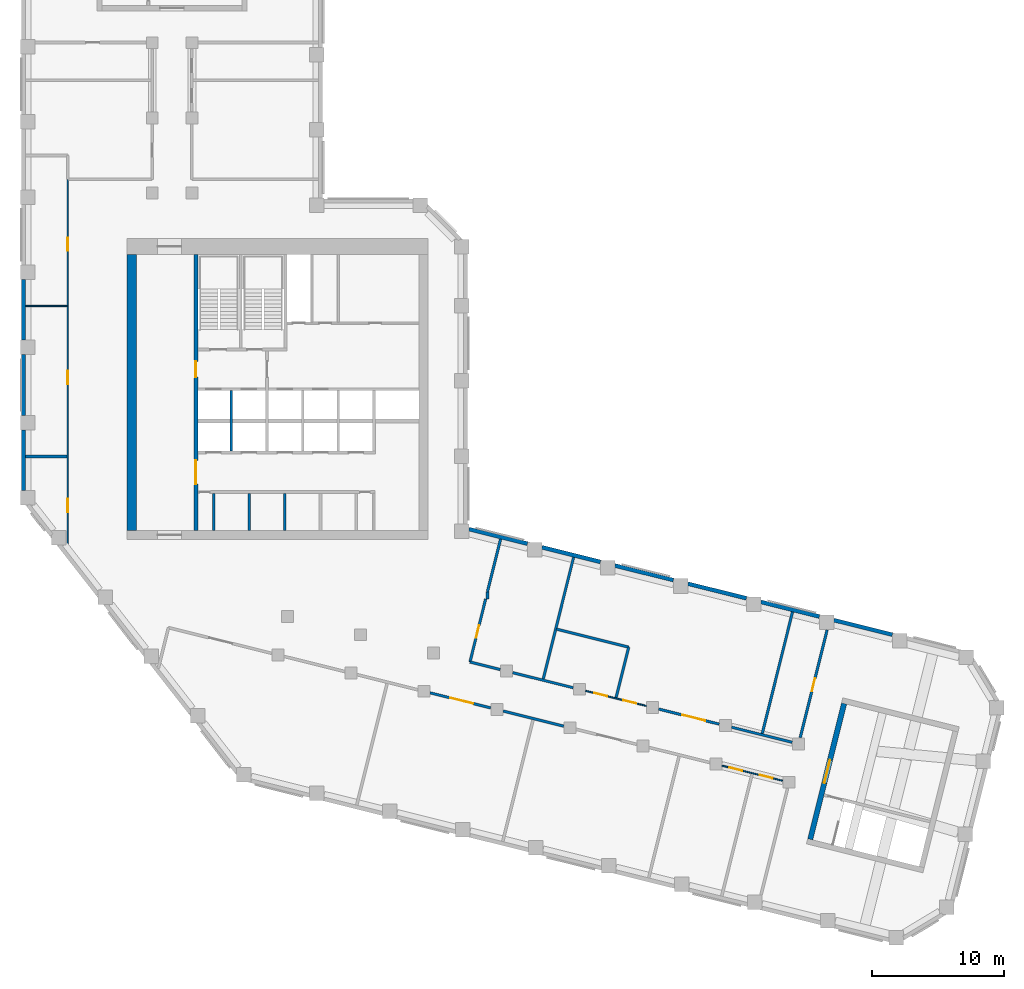
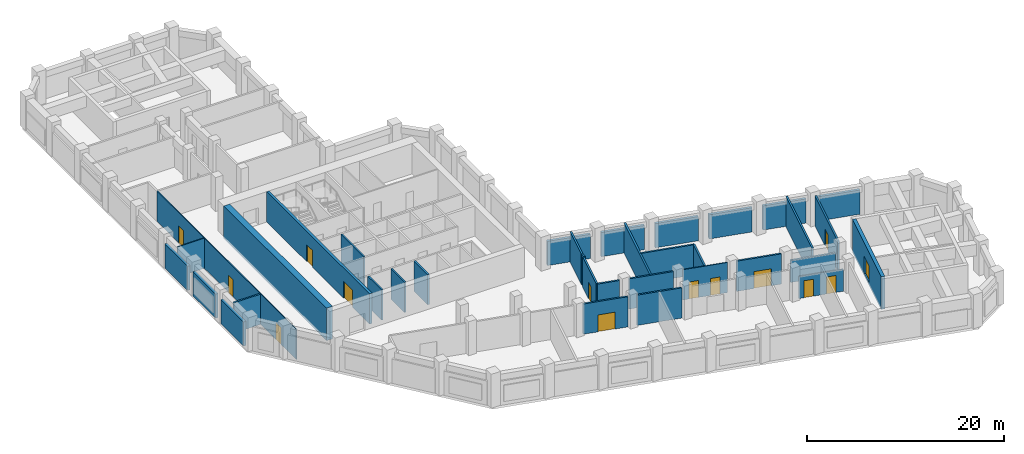
# One storey, part 3 of 8: 35 walls, 14 doors, 14 openings.
"""IFC4 building model written with IfcOpenShell, lengths in metres."""

from ifc_helpers import new_model, si_unit, direction, frame, frame_2d, origin, place, context, subcontext, project, spatial, rectangle, extrude, material, layer, layer_set, type_object, element, fill, save


model = new_model("IFC4")

# Units and contexts
model_context = context("Model", 3, precision=1e-05, world=origin(), true_north=direction((0.0, 1.0)))
body_context = subcontext(model_context, "Body", "Model", "MODEL_VIEW")
ifc_project = project(units=[si_unit("LENGTHUNIT", "METRE"), si_unit("AREAUNIT", "SQUARE_METRE"), si_unit("VOLUMEUNIT", "CUBIC_METRE"), si_unit("PLANEANGLEUNIT", "RADIAN"), si_unit("MASSUNIT", "GRAM", prefix="KILO")], contexts=[model_context])

# Site, building, storey
site_placement = place(None, origin())
site = spatial("IfcSite", under=ifc_project, at=site_placement, CompositionType="ELEMENT")
building_placement = place(site_placement, origin())
building = spatial("IfcBuilding", under=site, at=building_placement, Name="Meshkara Civic Tower", CompositionType="ELEMENT")
storey_placement = place(building_placement, frame((0.0, 0.0, 280.199951171875)))
storey = spatial("IfcBuildingStorey", under=building, at=storey_placement, Name="L64", CompositionType="ELEMENT", Elevation=280.199951171875)

# Wall
ifc_material_1 = material(Name="Concrete C60", Category="concrete")
ifc_layer_1 = layer(ifc_material_1, 0.699951171875)
ifc_layer_set_1 = layer_set([ifc_layer_1], Name="Core ring wall 700 C60")
wall_type_1 = type_object("IfcWallType", Name="Core ring wall 700 C60", PredefinedType="SHEAR", material=ifc_layer_set_1)
wall_1_placement = place(storey_placement, frame((8.35009765625, 14.800048828125, -0.300048828125), z_axis=(0.0, 0.0, 1.0), x_axis=(0.0, 1.0, 0.0)))
element("IfcWall", 1, at=wall_1_placement, inside=storey, type_object=wall_type_1, Name="L64-C003", PredefinedType="SHEAR", context=body_context, shape_type="SweptSolid", body=[
    extrude(rectangle(XDim=20.89990234375, YDim=0.699951171875, at=frame_2d((10.449951171875, 0.0))), origin(), (0.0, 0.0, 1.0), 4.050048828125),
])

# Wall, openings, doors
ifc_material_2 = material(Name="Concrete C60", Category="concrete")
ifc_layer_2 = layer(ifc_material_2, 0.300048828125)
ifc_layer_set_2 = layer_set([ifc_layer_2], Name="Core shear wall 300 C60")
wall_type_2 = type_object("IfcWallType", Name="Core shear wall 300 C60", PredefinedType="SHEAR", material=ifc_layer_set_2)
wall_2_placement = place(storey_placement, frame((13.199951171875, 14.800048828125, 0.0), z_axis=(0.0, 0.0, 1.0), x_axis=(0.0, 1.0, 0.0)))
wall_2 = element("IfcWall", 2, at=wall_2_placement, inside=storey, type_object=wall_type_2, Name="L64-C011", PredefinedType="SHEAR", context=body_context, shape_type="SweptSolid", body=[
    extrude(rectangle(XDim=20.89990234375, YDim=0.300048828125, at=frame_2d((10.449951171875, 0.0))), origin(), (0.0, 0.0, 1.0), 3.75),
])
opening_1_placement = place(wall_2_placement, frame((3.5, 0.0, 0.0)))
opening_1 = element("IfcOpeningElement", 3, at=opening_1_placement, cuts=wall_2, Name="Opening L64-K017", PredefinedType="OPENING", context=body_context, shape_type="SweptSolid", body=[
    extrude(rectangle(XDim=1.800048828125, YDim=2.10009765625, at=frame_2d((0.89990234375, 1.050048828125))), frame((0.0, 0.159912109375, 0.0), z_axis=(0.0, -1.0, 0.0), x_axis=(1.0, 0.0, 0.0)), (0.0, 0.0, 1.0), 0.320068359375),
])
opening_2_placement = place(wall_2_placement, frame((11.60009765625, 0.0, 0.0)))
opening_2 = element("IfcOpeningElement", 4, at=opening_2_placement, cuts=wall_2, Name="Opening L64-K018", PredefinedType="OPENING", context=body_context, shape_type="SweptSolid", body=[
    extrude(rectangle(XDim=1.199951171875, YDim=2.10009765625, at=frame_2d((0.60009765625, 1.050048828125))), frame((0.0, 0.159912109375, 0.0), z_axis=(0.0, -1.0, 0.0), x_axis=(1.0, 0.0, 0.0)), (0.0, 0.0, 1.0), 0.320068359375),
])
ifc_material_3 = material(Name="Fire-rated door leaf in steel frame", Category="steel")
door_type_1 = type_object("IfcDoorType", Name="Core double door 1800 EI 60", OperationType="DOUBLE_DOOR_SINGLE_SWING", PredefinedType="DOOR", material=ifc_material_3)
door_1_placement = place(opening_1_placement, origin())
door_1 = element("IfcDoor", 5, at=door_1_placement, inside=storey, type_object=door_type_1, Name="L64-K017", OperationType="DOUBLE_DOOR_SINGLE_SWING", OverallHeight=2.10009765625, OverallWidth=1.800048828125, PredefinedType="DOOR", context=body_context, shape_type="SweptSolid", body=[
    extrude(rectangle(XDim=1.800048828125, YDim=2.10009765625, at=frame_2d((0.89990234375, 1.050048828125))), frame((0.0, 0.02490234375, 0.0), z_axis=(0.0, -1.0, 0.0), x_axis=(1.0, 0.0, 0.0)), (0.0, 0.0, 1.0), 0.050048828125),
])
fill(opening_1, door_1)
ifc_material_4 = material(Name="Fire-rated door leaf in steel frame", Category="steel")
door_type_2 = type_object("IfcDoorType", Name="Fire-fighting lobby door 1200 EI 120", OperationType="SINGLE_SWING_LEFT", PredefinedType="DOOR", material=ifc_material_4)
door_2_placement = place(opening_2_placement, origin())
door_2 = element("IfcDoor", 6, at=door_2_placement, inside=storey, type_object=door_type_2, Name="L64-K018", OperationType="SINGLE_SWING_LEFT", OverallHeight=2.10009765625, OverallWidth=1.199951171875, PredefinedType="DOOR", context=body_context, shape_type="SweptSolid", body=[
    extrude(rectangle(XDim=1.199951171875, YDim=2.10009765625, at=frame_2d((0.60009765625, 1.050048828125))), frame((0.0, 0.02490234375, 0.0), z_axis=(0.0, -1.0, 0.0), x_axis=(1.0, 0.0, 0.0)), (0.0, 0.0, 1.0), 0.050048828125),
])
fill(opening_2, door_2)

ifc_material_5 = material(Name="Corridor wall 100")
ifc_layer_3 = layer(ifc_material_5, 0.10009765625)
ifc_layer_set_3 = layer_set([ifc_layer_3], Name="Corridor wall 100")
wall_type_3 = type_object("IfcWallType", Name="Corridor wall 100", PredefinedType="PARTITIONING", material=ifc_layer_set_3)
wall_3_placement = place(storey_placement, frame((3.5, 13.10693359375, 0.0), z_axis=(0.0, 0.0, 1.0), x_axis=(0.0, 1.0, 0.0)))
wall_3 = element("IfcWall", 7, at=wall_3_placement, inside=storey, type_object=wall_type_3, Name="L64-R002", PredefinedType="PARTITIONING", context=body_context, shape_type="SweptSolid", body=[
    extrude(rectangle(XDim=28.29296875, YDim=0.10009765625, at=frame_2d((14.146484375, 0.0))), origin(), (0.0, 0.0, 1.0), 3.75),
])
opening_3_placement = place(wall_3_placement, frame((3.080078125, 0.0, 0.0)))
opening_3 = element("IfcOpeningElement", 8, at=opening_3_placement, cuts=wall_3, Name="Opening L64-P011", PredefinedType="OPENING", context=body_context, shape_type="SweptSolid", body=[
    extrude(rectangle(XDim=1.0, YDim=2.10009765625, at=frame_2d((0.5, 1.050048828125))), frame((0.0, 0.06005859375, 0.0), z_axis=(0.0, -1.0, 0.0), x_axis=(1.0, 0.0, 0.0)), (0.0, 0.0, 1.0), 0.1201171875),
])
opening_4_placement = place(wall_3_placement, frame((12.77294921875, 0.0, 0.0)))
opening_4 = element("IfcOpeningElement", 9, at=opening_4_placement, cuts=wall_3, Name="Opening L64-P012", PredefinedType="OPENING", context=body_context, shape_type="SweptSolid", body=[
    extrude(rectangle(XDim=1.0, YDim=2.10009765625, at=frame_2d((0.5, 1.050048828125))), frame((0.0, 0.06005859375, 0.0), z_axis=(0.0, -1.0, 0.0), x_axis=(1.0, 0.0, 0.0)), (0.0, 0.0, 1.0), 0.1201171875),
])
opening_5_placement = place(wall_3_placement, frame((22.873046875, 0.0, 0.0)))
opening_5 = element("IfcOpeningElement", 10, at=opening_5_placement, cuts=wall_3, Name="Opening L64-P013", PredefinedType="OPENING", context=body_context, shape_type="SweptSolid", body=[
    extrude(rectangle(XDim=1.0, YDim=2.10009765625, at=frame_2d((0.5, 1.050048828125))), frame((0.0, 0.06005859375, 0.0), z_axis=(0.0, -1.0, 0.0), x_axis=(1.0, 0.0, 0.0)), (0.0, 0.0, 1.0), 0.1201171875),
])
ifc_material_6 = material(Name="Door 1000 x 2100")
door_type_3 = type_object("IfcDoorType", Name="Door 1000 x 2100", OperationType="SINGLE_SWING_LEFT", PredefinedType="DOOR", material=ifc_material_6)
door_3_placement = place(opening_3_placement, origin())
door_3 = element("IfcDoor", 11, at=door_3_placement, inside=storey, type_object=door_type_3, Name="L64-P011", OperationType="SINGLE_SWING_LEFT", OverallHeight=2.10009765625, OverallWidth=1.0, PredefinedType="DOOR", context=body_context, shape_type="SweptSolid", body=[
    extrude(rectangle(XDim=1.0, YDim=2.10009765625, at=frame_2d((0.5, 1.050048828125))), frame((0.0, 0.02490234375, 0.0), z_axis=(0.0, -1.0, 0.0), x_axis=(1.0, 0.0, 0.0)), (0.0, 0.0, 1.0), 0.050048828125),
])
fill(opening_3, door_3)
door_4_placement = place(opening_4_placement, origin())
door_4 = element("IfcDoor", 12, at=door_4_placement, inside=storey, type_object=door_type_3, Name="L64-P012", OperationType="SINGLE_SWING_RIGHT", OverallHeight=2.10009765625, OverallWidth=1.0, PredefinedType="DOOR", context=body_context, shape_type="SweptSolid", body=[
    extrude(rectangle(XDim=1.0, YDim=2.10009765625, at=frame_2d((0.5, 1.050048828125))), frame((0.0, 0.02490234375, 0.0), z_axis=(0.0, -1.0, 0.0), x_axis=(1.0, 0.0, 0.0)), (0.0, 0.0, 1.0), 0.050048828125),
])
fill(opening_4, door_4)
door_5_placement = place(opening_5_placement, origin())
door_5 = element("IfcDoor", 13, at=door_5_placement, inside=storey, type_object=door_type_3, Name="L64-P013", OperationType="SINGLE_SWING_LEFT", OverallHeight=2.10009765625, OverallWidth=1.0, PredefinedType="DOOR", context=body_context, shape_type="SweptSolid", body=[
    extrude(rectangle(XDim=1.0, YDim=2.10009765625, at=frame_2d((0.5, 1.050048828125))), frame((0.0, 0.02490234375, 0.0), z_axis=(0.0, -1.0, 0.0), x_axis=(1.0, 0.0, 0.0)), (0.0, 0.0, 1.0), 0.050048828125),
])
fill(opening_5, door_5)

wall_4_placement = place(storey_placement, frame((42.741943359375, 2.637939453125, 0.0), z_axis=(0.0, 0.0, 1.0), x_axis=(0.970327368371, -0.241794950714, 0.0)))
wall_4 = element("IfcWall", 14, at=wall_4_placement, inside=storey, type_object=wall_type_3, Name="L64-R022", PredefinedType="PARTITIONING", context=body_context, shape_type="SweptSolid", body=[
    extrude(rectangle(XDim=4.7314453125, YDim=0.10009765625, at=frame_2d((2.36572265625, 0.0))), origin(), (0.0, 0.0, 1.0), 3.75),
])
opening_6_placement = place(wall_4_placement, frame((0.679931640625, 0.0, 0.0)))
opening_6 = element("IfcOpeningElement", 15, at=opening_6_placement, cuts=wall_4, Name="Opening L64-P005", PredefinedType="OPENING", context=body_context, shape_type="SweptSolid", body=[
    extrude(rectangle(XDim=1.0, YDim=2.10009765625, at=frame_2d((0.5, 1.050048828125))), frame((0.0, 0.06005859375, 0.0), z_axis=(0.0, -1.0, 0.0), x_axis=(1.0, 0.0, 0.0)), (0.0, 0.0, 1.0), 0.1201171875),
])
opening_7_placement = place(wall_4_placement, frame((2.946044921875, 0.0, 0.0)))
opening_7 = element("IfcOpeningElement", 16, at=opening_7_placement, cuts=wall_4, Name="Opening L64-P006", PredefinedType="OPENING", context=body_context, shape_type="SweptSolid", body=[
    extrude(rectangle(XDim=1.0, YDim=2.10009765625, at=frame_2d((0.5, 1.050048828125))), frame((0.0, 0.06005859375, 0.0), z_axis=(0.0, -1.0, 0.0), x_axis=(1.0, 0.0, 0.0)), (0.0, 0.0, 1.0), 0.1201171875),
])
door_6_placement = place(opening_6_placement, origin())
door_6 = element("IfcDoor", 17, at=door_6_placement, inside=storey, type_object=door_type_3, Name="L64-P005", OperationType="SINGLE_SWING_RIGHT", OverallHeight=2.10009765625, OverallWidth=1.0, PredefinedType="DOOR", context=body_context, shape_type="SweptSolid", body=[
    extrude(rectangle(XDim=1.0, YDim=2.10009765625, at=frame_2d((0.5, 1.050048828125))), frame((0.0, 0.02490234375, 0.0), z_axis=(0.0, -1.0, 0.0), x_axis=(1.0, 0.0, 0.0)), (0.0, 0.0, 1.0), 0.050048828125),
])
fill(opening_6, door_6)
door_7_placement = place(opening_7_placement, origin())
door_7 = element("IfcDoor", 18, at=door_7_placement, inside=storey, type_object=door_type_3, Name="L64-P006", OperationType="SINGLE_SWING_RIGHT", OverallHeight=2.10009765625, OverallWidth=1.0, PredefinedType="DOOR", context=body_context, shape_type="SweptSolid", body=[
    extrude(rectangle(XDim=1.0, YDim=2.10009765625, at=frame_2d((0.5, 1.050048828125))), frame((0.0, 0.02490234375, 0.0), z_axis=(0.0, -1.0, 0.0), x_axis=(1.0, 0.0, 0.0)), (0.0, 0.0, 1.0), 0.050048828125),
])
fill(opening_7, door_7)

wall_5_placement = place(storey_placement, frame((53.077880859375, -3.031005859375, 0.0), z_axis=(0.0, 0.0, 1.0), x_axis=(0.970327368371, -0.241794950714, 0.0)))
wall_5 = element("IfcWall", 19, at=wall_5_placement, inside=storey, type_object=wall_type_3, Name="L64-R025", PredefinedType="PARTITIONING", context=body_context, shape_type="SweptSolid", body=[
    extrude(rectangle(XDim=4.7314453125, YDim=0.10009765625, at=frame_2d((2.36572265625, 0.0))), origin(), (0.0, 0.0, 1.0), 2.75),
])
opening_8_placement = place(wall_5_placement, frame((0.580078125, 0.0, 0.0)))
opening_8 = element("IfcOpeningElement", 20, at=opening_8_placement, cuts=wall_5, Name="Opening L64-P002", PredefinedType="OPENING", context=body_context, shape_type="SweptSolid", body=[
    extrude(rectangle(XDim=1.0, YDim=2.10009765625, at=frame_2d((0.5, 1.050048828125))), frame((0.0, 0.06005859375, 0.0), z_axis=(0.0, -1.0, 0.0), x_axis=(1.0, 0.0, 0.0)), (0.0, 0.0, 1.0), 0.1201171875),
])
opening_9_placement = place(wall_5_placement, frame((2.945068359375, 0.0, 0.0)))
opening_9 = element("IfcOpeningElement", 21, at=opening_9_placement, cuts=wall_5, Name="Opening L64-P003", PredefinedType="OPENING", context=body_context, shape_type="SweptSolid", body=[
    extrude(rectangle(XDim=1.0, YDim=2.10009765625, at=frame_2d((0.5, 1.050048828125))), frame((0.0, 0.06005859375, 0.0), z_axis=(0.0, -1.0, 0.0), x_axis=(1.0, 0.0, 0.0)), (0.0, 0.0, 1.0), 0.1201171875),
])
door_8_placement = place(opening_8_placement, origin())
door_8 = element("IfcDoor", 22, at=door_8_placement, inside=storey, type_object=door_type_3, Name="L64-P002", OperationType="SINGLE_SWING_LEFT", OverallHeight=2.10009765625, OverallWidth=1.0, PredefinedType="DOOR", context=body_context, shape_type="SweptSolid", body=[
    extrude(rectangle(XDim=1.0, YDim=2.10009765625, at=frame_2d((0.5, 1.050048828125))), frame((0.0, 0.02490234375, 0.0), z_axis=(0.0, -1.0, 0.0), x_axis=(1.0, 0.0, 0.0)), (0.0, 0.0, 1.0), 0.050048828125),
])
fill(opening_8, door_8)
door_9_placement = place(opening_9_placement, origin())
door_9 = element("IfcDoor", 23, at=door_9_placement, inside=storey, type_object=door_type_3, Name="L64-P003", OperationType="SINGLE_SWING_RIGHT", OverallHeight=2.10009765625, OverallWidth=1.0, PredefinedType="DOOR", context=body_context, shape_type="SweptSolid", body=[
    extrude(rectangle(XDim=1.0, YDim=2.10009765625, at=frame_2d((0.5, 1.050048828125))), frame((0.0, 0.02490234375, 0.0), z_axis=(0.0, -1.0, 0.0), x_axis=(1.0, 0.0, 0.0)), (0.0, 0.0, 1.0), 0.050048828125),
])
fill(opening_9, door_9)

# Walls
ifc_material_7 = material(Name="Insulated infill panel with bronze anodised aluminium cladding", Category="aluminium")
ifc_layer_4 = layer(ifc_material_7, 0.300048828125)
ifc_layer_set_4 = layer_set([ifc_layer_4], Name="EXTERNAL INFILL WALL 300")
wall_type_4 = type_object("IfcWallType", Name="EXTERNAL INFILL WALL 300", PredefinedType="SOLIDWALL", material=ifc_layer_set_4)
wall_6_placement = place(storey_placement, frame((65.98388671875, 6.89208984375, 0.0), z_axis=(0.0, 0.0, 1.0), x_axis=(-0.970334041205, 0.241768170937, 0.0)))
element("IfcWall", 24, at=wall_6_placement, inside=storey, type_object=wall_type_4, Name="External wall", PredefinedType="SOLIDWALL", context=body_context, shape_type="SweptSolid", body=[
    extrude(rectangle(XDim=4.56640625, YDim=0.300048828125, at=frame_2d((2.283203125, 0.0))), origin(), (0.0, 0.0, 1.0), 3.0),
])
wall_7_placement = place(storey_placement, frame((60.452880859375, 8.27099609375, 0.0), z_axis=(0.0, 0.0, 1.0), x_axis=(-0.97032153683, 0.241818351587, 0.0)))
element("IfcWall", 25, at=wall_7_placement, inside=storey, type_object=wall_type_4, Name="External wall", PredefinedType="SOLIDWALL", context=body_context, shape_type="SweptSolid", body=[
    extrude(rectangle(XDim=4.5654296875, YDim=0.300048828125, at=frame_2d((2.28271484375, 0.0))), origin(), (0.0, 0.0, 1.0), 3.0),
])
for number, where, z_axis, x_axis, name in (
    (26, (54.923095703125, 9.64990234375, 0.0), (0.0, 0.0, 1.0), (-0.970337166083, 0.241755628927, 0.0), "External wall"),
    (27, (49.39208984375, 11.029052734375, 0.0), (0.0, 0.0, 1.0), (-0.970337166083, 0.241755628927, 0.0), "External wall"),
):
    element("IfcWall", number, at=place(storey_placement, frame(where, z_axis=z_axis, x_axis=x_axis)), inside=storey, type_object=wall_type_4, Name=name, PredefinedType="SOLIDWALL", context=body_context, shape_type="SweptSolid", body=[
        extrude(rectangle(XDim=4.566650390625, YDim=0.300048828125, at=frame_2d((2.283203125, 0.0))), origin(), (0.0, 0.0, 1.0), 3.0),
    ])
wall_8_placement = place(storey_placement, frame((43.861083984375, 12.407958984375, 0.0), z_axis=(0.0, 0.0, 1.0), x_axis=(-0.970324663654, 0.241805804532, 0.0)))
element("IfcWall", 28, at=wall_8_placement, inside=storey, type_object=wall_type_4, Name="External wall", PredefinedType="SOLIDWALL", context=body_context, shape_type="SweptSolid", body=[
    extrude(rectangle(XDim=4.565673828125, YDim=0.300048828125, at=frame_2d((2.28271484375, 0.0))), origin(), (0.0, 0.0, 1.0), 3.0),
])
wall_9_placement = place(storey_placement, frame((38.3310546875, 13.787109375, 0.0), z_axis=(0.0, 0.0, 1.0), x_axis=(-0.970337166083, 0.241755628927, 0.0)))
element("IfcWall", 29, at=wall_9_placement, inside=storey, type_object=wall_type_4, Name="External wall", PredefinedType="SOLIDWALL", context=body_context, shape_type="SweptSolid", body=[
    extrude(rectangle(XDim=4.566650390625, YDim=0.300048828125, at=frame_2d((2.283203125, 0.0))), origin(), (0.0, 0.0, 1.0), 3.0),
])
wall_10_placement = place(storey_placement, frame((0.14990234375, 33.804931640625, 0.0), z_axis=(0.0, 0.0, 1.0), x_axis=(0.0, -1.0, 0.0)))
element("IfcWall", 30, at=wall_10_placement, inside=storey, type_object=wall_type_4, Name="External wall", PredefinedType="SOLIDWALL", context=body_context, shape_type="SweptSolid", body=[
    extrude(rectangle(XDim=4.598876953125, YDim=0.300048828125, at=frame_2d((2.29931640625, 0.0))), origin(), (0.0, 0.0, 1.0), 3.0),
])
wall_11_placement = place(storey_placement, frame((0.14990234375, 28.10498046875, 0.0), z_axis=(0.0, 0.0, 1.0), x_axis=(0.0, -1.0, 0.0)))
element("IfcWall", 31, at=wall_11_placement, inside=storey, type_object=wall_type_4, Name="External wall", PredefinedType="SOLIDWALL", context=body_context, shape_type="SweptSolid", body=[
    extrude(rectangle(XDim=4.60009765625, YDim=0.300048828125, at=frame_2d((2.300048828125, 0.0))), origin(), (0.0, 0.0, 1.0), 3.0),
])
wall_12_placement = place(storey_placement, frame((0.14990234375, 22.404052734375, 0.0), z_axis=(0.0, 0.0, 1.0), x_axis=(0.0, -1.0, 0.0)))
element("IfcWall", 32, at=wall_12_placement, inside=storey, type_object=wall_type_4, Name="External wall", PredefinedType="SOLIDWALL", context=body_context, shape_type="SweptSolid", body=[
    extrude(rectangle(XDim=4.59912109375, YDim=0.300048828125, at=frame_2d((2.299560546875, 0.0))), origin(), (0.0, 0.0, 1.0), 3.0),
])

# Wall, opening, door
ifc_material_8 = material(Name="Concrete C60", Category="concrete")
ifc_layer_5 = layer(ifc_material_8, 0.39990234375)
ifc_layer_set_5 = layer_set([ifc_layer_5], Name="End core ring wall 400 C60")
wall_type_5 = type_object("IfcWallType", Name="End core ring wall 400 C60", PredefinedType="SHEAR", material=ifc_layer_set_5)
wall_13_placement = place(storey_placement, frame((59.760986328125, -8.613037109375, -0.300048828125), z_axis=(0.0, 0.0, 1.0), x_axis=(0.241971982666, 0.970283236795, 0.0)))
wall_13 = element("IfcWall", 33, at=wall_13_placement, inside=storey, type_object=wall_type_5, Name="L64-C034", PredefinedType="SHEAR", context=body_context, shape_type="SweptSolid", body=[
    extrude(rectangle(XDim=10.60009765625, YDim=0.39990234375, at=frame_2d((5.300048828125, 0.0))), origin(), (0.0, 0.0, 1.0), 4.050048828125),
])
opening_10_placement = place(wall_13_placement, frame((4.39990234375, 0.0, 0.300048828125)))
opening_10 = element("IfcOpeningElement", 34, at=opening_10_placement, cuts=wall_13, Name="Opening L64-K202", PredefinedType="OPENING", context=body_context, shape_type="SweptSolid", body=[
    extrude(rectangle(XDim=1.800048828125, YDim=2.10009765625, at=frame_2d((0.89990234375, 1.050048828125))), frame((0.0, 0.2099609375, 0.0), z_axis=(0.0, -1.0, 0.0), x_axis=(1.0, 0.0, 0.0)), (0.0, 0.0, 1.0), 0.419921875),
])
door_10_placement = place(opening_10_placement, origin())
door_10 = element("IfcDoor", 35, at=door_10_placement, inside=storey, type_object=door_type_1, Name="L64-K202", OperationType="DOUBLE_DOOR_SINGLE_SWING", OverallHeight=2.10009765625, OverallWidth=1.800048828125, PredefinedType="DOOR", context=body_context, shape_type="SweptSolid", body=[
    extrude(rectangle(XDim=1.800048828125, YDim=2.10009765625, at=frame_2d((0.89990234375, 1.050048828125))), frame((0.0, 0.02490234375, 0.0), z_axis=(0.0, -1.0, 0.0), x_axis=(1.0, 0.0, 0.0)), (0.0, 0.0, 1.0), 0.050048828125),
])
fill(opening_10, door_10)

ifc_material_9 = material(Name="Fire-rated wall 200")
ifc_layer_6 = layer(ifc_material_9, 0.199951171875)
ifc_layer_set_6 = layer_set([ifc_layer_6], Name="Fire-rated wall 200")
wall_type_6 = type_object("IfcWallType", Name="Fire-rated wall 200", PredefinedType="PARTITIONING", material=ifc_layer_set_6)
wall_14_placement = place(storey_placement, frame((30.955078125, 2.485107421875, 0.0), z_axis=(0.0, 0.0, 1.0), x_axis=(0.970324351393, -0.241807057574, 0.0)))
wall_14 = element("IfcWall", 36, at=wall_14_placement, inside=storey, type_object=wall_type_6, Name="L64-R014", PredefinedType="PARTITIONING", context=body_context, shape_type="SweptSolid", body=[
    extrude(rectangle(XDim=4.731201171875, YDim=0.199951171875, at=frame_2d((2.36572265625, 0.0))), origin(), (0.0, 0.0, 1.0), 3.75),
])
opening_11_placement = place(wall_14_placement, frame((1.580078125, 0.0, 0.0)))
opening_11 = element("IfcOpeningElement", 37, at=opening_11_placement, cuts=wall_14, Name="Opening L64-P004", PredefinedType="OPENING", context=body_context, shape_type="SweptSolid", body=[
    extrude(rectangle(XDim=1.800048828125, YDim=2.10009765625, at=frame_2d((0.89990234375, 1.050048828125))), frame((0.0, 0.10986328125, 0.0), z_axis=(0.0, -1.0, 0.0), x_axis=(1.0, 0.0, 0.0)), (0.0, 0.0, 1.0), 0.219970703125),
])
ifc_material_10 = material(Name="Door pair 1800 x 2100")
door_type_4 = type_object("IfcDoorType", Name="Door pair 1800 x 2100", OperationType="SINGLE_SWING_LEFT", PredefinedType="DOOR", material=ifc_material_10)
door_11_placement = place(opening_11_placement, origin())
door_11 = element("IfcDoor", 38, at=door_11_placement, inside=storey, type_object=door_type_4, Name="L64-P004", OperationType="DOUBLE_DOOR_SINGLE_SWING", OverallHeight=2.10009765625, OverallWidth=1.800048828125, PredefinedType="DOOR", context=body_context, shape_type="SweptSolid", body=[
    extrude(rectangle(XDim=1.800048828125, YDim=2.10009765625, at=frame_2d((0.89990234375, 1.050048828125))), frame((0.0, 0.02490234375, 0.0), z_axis=(0.0, -1.0, 0.0), x_axis=(1.0, 0.0, 0.0)), (0.0, 0.0, 1.0), 0.050048828125),
])
fill(opening_11, door_11)

wall_15_placement = place(storey_placement, frame((33.97607421875, 4.823974609375, 0.0), z_axis=(0.0, 0.0, 1.0), x_axis=(0.241940400058, 0.970291112409, 0.0)))
wall_15 = element("IfcWall", 39, at=wall_15_placement, inside=storey, type_object=wall_type_6, Name="L64-R015", PredefinedType="PARTITIONING", context=body_context, shape_type="SweptSolid", body=[
    extrude(rectangle(XDim=4.92236328125, YDim=0.199951171875, at=frame_2d((2.461181640625, 0.0))), origin(), (0.0, 0.0, 1.0), 3.75),
])
opening_12_placement = place(wall_15_placement, frame((1.8798828125, 0.0, 0.0)))
opening_12 = element("IfcOpeningElement", 40, at=opening_12_placement, cuts=wall_15, Name="Opening L64-P010", PredefinedType="OPENING", context=body_context, shape_type="SweptSolid", body=[
    extrude(rectangle(XDim=1.0, YDim=2.10009765625, at=frame_2d((0.5, 1.050048828125))), frame((0.0, 0.10986328125, 0.0), z_axis=(0.0, -1.0, 0.0), x_axis=(1.0, 0.0, 0.0)), (0.0, 0.0, 1.0), 0.219970703125),
])
door_12_placement = place(opening_12_placement, origin())
door_12 = element("IfcDoor", 41, at=door_12_placement, inside=storey, type_object=door_type_3, Name="L64-P010", OperationType="SINGLE_SWING_RIGHT", OverallHeight=2.10009765625, OverallWidth=1.0, PredefinedType="DOOR", context=body_context, shape_type="SweptSolid", body=[
    extrude(rectangle(XDim=1.0, YDim=2.10009765625, at=frame_2d((0.5, 1.050048828125))), frame((0.0, 0.02490234375, 0.0), z_axis=(0.0, -1.0, 0.0), x_axis=(1.0, 0.0, 0.0)), (0.0, 0.0, 1.0), 0.050048828125),
])
fill(opening_12, door_12)

# Walls
wall_16_placement = place(storey_placement, frame((35.300048828125, 9.60009765625, 0.0), z_axis=(0.0, 0.0, 1.0), x_axis=(0.0, 1.0, 0.0)))
element("IfcWall", 42, at=wall_16_placement, inside=storey, type_object=wall_type_6, Name="L64-R016", PredefinedType="PARTITIONING", context=body_context, shape_type="SweptSolid", body=[
    extrude(rectangle(XDim=0.533935546875, YDim=0.199951171875, at=frame_2d((0.26708984375, 0.0))), origin(), (0.0, 0.0, 1.0), 3.75),
])
wall_17_placement = place(storey_placement, frame((35.300048828125, 10.134033203125, 0.0), z_axis=(0.0, 0.0, 1.0), x_axis=(0.24203457236, 0.970267625855, 0.0)))
element("IfcWall", 43, at=wall_17_placement, inside=storey, type_object=wall_type_6, Name="L64-R017", PredefinedType="PARTITIONING", context=body_context, shape_type="SweptSolid", body=[
    extrude(rectangle(XDim=4.127685546875, YDim=0.199951171875, at=frame_2d((2.06396484375, 0.0))), origin(), (0.0, 0.0, 1.0), 3.75),
])
wall_18_placement = place(storey_placement, frame((36.27197265625, 4.251953125, 0.0), z_axis=(0.0, 0.0, 1.0), x_axis=(-0.970336416584, 0.241758637182, 0.0)))
element("IfcWall", 44, at=wall_18_placement, inside=storey, type_object=wall_type_6, Name="L64-R018", PredefinedType="PARTITIONING", context=body_context, shape_type="SweptSolid", body=[
    extrude(rectangle(XDim=2.365966796875, YDim=0.199951171875, at=frame_2d((1.18310546875, 0.0))), origin(), (0.0, 0.0, 1.0), 3.75),
])
wall_19_placement = place(storey_placement, frame((36.486083984375, 1.10595703125, 0.0), z_axis=(0.0, 0.0, 1.0), x_axis=(0.970312278952, -0.241855496764, 0.0)))
element("IfcWall", 45, at=wall_19_placement, inside=storey, type_object=wall_type_6, Name="L64-R019", PredefinedType="PARTITIONING", context=body_context, shape_type="SweptSolid", body=[
    extrude(rectangle(XDim=4.730224609375, YDim=0.199951171875, at=frame_2d((2.365234375, 0.0))), origin(), (0.0, 0.0, 1.0), 3.75),
])
wall_20_placement = place(storey_placement, frame((37.2119140625, 4.01708984375, 0.0), z_axis=(0.0, 0.0, 1.0), x_axis=(0.970315297742, -0.241843385204, 0.0)))
element("IfcWall", 46, at=wall_20_placement, inside=storey, type_object=wall_type_6, Name="L64-R020", PredefinedType="PARTITIONING", context=body_context, shape_type="SweptSolid", body=[
    extrude(rectangle(XDim=4.73046875, YDim=0.199951171875, at=frame_2d((2.365234375, 0.0))), origin(), (0.0, 0.0, 1.0), 3.75),
])

# Wall, opening, door
wall_21_placement = place(storey_placement, frame((52.864013671875, 0.114990234375, 0.0), z_axis=(0.0, 0.0, 1.0), x_axis=(-0.970327368371, 0.241794950714, 0.0)))
wall_21 = element("IfcWall", 47, at=wall_21_placement, inside=storey, type_object=wall_type_6, Name="L64-R024", PredefinedType="PARTITIONING", context=body_context, shape_type="SweptSolid", body=[
    extrude(rectangle(XDim=4.7314453125, YDim=0.199951171875, at=frame_2d((2.36572265625, 0.0))), origin(), (0.0, 0.0, 1.0), 3.75),
])
opening_13_placement = place(wall_21_placement, frame((1.080078125, 0.0, 0.0)))
opening_13 = element("IfcOpeningElement", 48, at=opening_13_placement, cuts=wall_21, Name="Opening L64-P007", PredefinedType="OPENING", context=body_context, shape_type="SweptSolid", body=[
    extrude(rectangle(XDim=1.800048828125, YDim=2.10009765625, at=frame_2d((0.89990234375, 1.050048828125))), frame((0.0, 0.10986328125, 0.0), z_axis=(0.0, -1.0, 0.0), x_axis=(1.0, 0.0, 0.0)), (0.0, 0.0, 1.0), 0.219970703125),
])
door_13_placement = place(opening_13_placement, origin())
door_13 = element("IfcDoor", 49, at=door_13_placement, inside=storey, type_object=door_type_4, Name="L64-P007", OperationType="DOUBLE_DOOR_SINGLE_SWING", OverallHeight=2.10009765625, OverallWidth=1.800048828125, PredefinedType="DOOR", context=body_context, shape_type="SweptSolid", body=[
    extrude(rectangle(XDim=1.800048828125, YDim=2.10009765625, at=frame_2d((0.89990234375, 1.050048828125))), frame((0.0, 0.02490234375, 0.0), z_axis=(0.0, -1.0, 0.0), x_axis=(1.0, 0.0, 0.0)), (0.0, 0.0, 1.0), 0.050048828125),
])
fill(opening_13, door_13)

# Wall
wall_22_placement = place(storey_placement, frame((53.803955078125, -0.1201171875, 0.0), z_axis=(0.0, 0.0, 1.0), x_axis=(0.970327407649, -0.241794793087, 0.0)))
element("IfcWall", 50, at=wall_22_placement, inside=storey, type_object=wall_type_6, Name="L64-R026", PredefinedType="PARTITIONING", context=body_context, shape_type="SweptSolid", body=[
    extrude(rectangle(XDim=4.73046875, YDim=0.199951171875, at=frame_2d((2.365234375, 0.0))), origin(), (0.0, 0.0, 1.0), 2.75),
])

# Wall, opening, door
wall_23_placement = place(storey_placement, frame((61.0380859375, 7.25390625, 0.0), z_axis=(0.0, 0.0, 1.0), x_axis=(-0.241934921951, -0.970292478349, 0.0)))
wall_23 = element("IfcWall", 51, at=wall_23_placement, inside=storey, type_object=wall_type_6, Name="L64-R028", PredefinedType="PARTITIONING", context=body_context, shape_type="SweptSolid", body=[
    extrude(rectangle(XDim=8.416015625, YDim=0.199951171875, at=frame_2d((4.2080078125, 0.0))), origin(), (0.0, 0.0, 1.0), 3.75),
])
opening_14_placement = place(wall_23_placement, frame((3.780029296875, 0.0, 0.0)))
opening_14 = element("IfcOpeningElement", 52, at=opening_14_placement, cuts=wall_23, Name="Opening L64-P008", PredefinedType="OPENING", context=body_context, shape_type="SweptSolid", body=[
    extrude(rectangle(XDim=1.0, YDim=2.10009765625, at=frame_2d((0.5, 1.050048828125))), frame((0.0, 0.10986328125, 0.0), z_axis=(0.0, -1.0, 0.0), x_axis=(1.0, 0.0, 0.0)), (0.0, 0.0, 1.0), 0.219970703125),
])
door_14_placement = place(opening_14_placement, origin())
door_14 = element("IfcDoor", 53, at=door_14_placement, inside=storey, type_object=door_type_3, Name="L64-P008", OperationType="SINGLE_SWING_RIGHT", OverallHeight=2.10009765625, OverallWidth=1.0, PredefinedType="DOOR", context=body_context, shape_type="SweptSolid", body=[
    extrude(rectangle(XDim=1.0, YDim=2.10009765625, at=frame_2d((0.5, 1.050048828125))), frame((0.0, 0.02490234375, 0.0), z_axis=(0.0, -1.0, 0.0), x_axis=(1.0, 0.0, 0.0)), (0.0, 0.0, 1.0), 0.050048828125),
])
fill(opening_14, door_14)

# Walls
wall_24_placement = place(storey_placement, frame((3.449951171875, 20.39990234375, 0.0), z_axis=(0.0, 0.0, 1.0), x_axis=(-1.0, 0.0, 0.0)))
element("IfcWall", 54, at=wall_24_placement, inside=storey, type_object=wall_type_6, Name="L64-R030", PredefinedType="PARTITIONING", context=body_context, shape_type="SweptSolid", body=[
    extrude(rectangle(XDim=3.14990234375, YDim=0.199951171875, at=frame_2d((1.574951171875, 0.0))), origin(), (0.0, 0.0, 1.0), 3.75),
])
wall_25_placement = place(storey_placement, frame((39.51904296875, 3.493896484375, 0.0), z_axis=(0.0, 0.0, 1.0), x_axis=(0.241994219909, 0.970277690937, 0.0)))
element("IfcWall", 55, at=wall_25_placement, inside=storey, type_object=wall_type_6, Name="L64-R037", PredefinedType="PARTITIONING", context=body_context, shape_type="SweptSolid", body=[
    extrude(rectangle(XDim=9.550048828125, YDim=0.199951171875, at=frame_2d((4.77490234375, 0.0))), origin(), (0.0, 0.0, 1.0), 3.75),
])
wall_26_placement = place(storey_placement, frame((45.050048828125, 2.114990234375, 0.0), z_axis=(0.0, 0.0, 1.0), x_axis=(0.242070161495, 0.970258747404, 0.0)))
element("IfcWall", 56, at=wall_26_placement, inside=storey, type_object=wall_type_6, Name="L64-R038", PredefinedType="PARTITIONING", context=body_context, shape_type="SweptSolid", body=[
    extrude(rectangle(XDim=3.949462890625, YDim=0.199951171875, at=frame_2d((1.974609375, 0.0))), origin(), (0.0, 0.0, 1.0), 3.75),
])
wall_27_placement = place(storey_placement, frame((46.006103515625, 5.947021484375, 0.0), z_axis=(0.0, 0.0, 1.0), x_axis=(-0.970292280621, 0.24193571495, 0.0)))
element("IfcWall", 57, at=wall_27_placement, inside=storey, type_object=wall_type_6, Name="L64-R039", PredefinedType="PARTITIONING", context=body_context, shape_type="SweptSolid", body=[
    extrude(rectangle(XDim=5.650146484375, YDim=0.199951171875, at=frame_2d((2.8251953125, 0.0))), origin(), (0.0, 0.0, 1.0), 3.75),
])
wall_28_placement = place(storey_placement, frame((56.111083984375, -0.64306640625, 0.0), z_axis=(0.0, 0.0, 1.0), x_axis=(0.241994219909, 0.970277690937, 0.0)))
element("IfcWall", 58, at=wall_28_placement, inside=storey, type_object=wall_type_6, Name="L64-R042", PredefinedType="PARTITIONING", context=body_context, shape_type="SweptSolid", body=[
    extrude(rectangle(XDim=9.550048828125, YDim=0.199951171875, at=frame_2d((4.77490234375, 0.0))), origin(), (0.0, 0.0, 1.0), 3.75),
])
ifc_material_11 = material(Name="Partition 100")
ifc_layer_7 = layer(ifc_material_11, 0.10009765625)
ifc_layer_set_7 = layer_set([ifc_layer_7], Name="Partition 100")
wall_type_7 = type_object("IfcWallType", Name="Partition 100", PredefinedType="PARTITIONING", material=ifc_layer_set_7)
wall_29_placement = place(storey_placement, frame((3.449951171875, 31.800048828125, 0.0), z_axis=(0.0, 0.0, 1.0), x_axis=(-1.0, 0.0, 0.0)))
element("IfcWall", 59, at=wall_29_placement, inside=storey, type_object=wall_type_7, Name="L64-R031", PredefinedType="PARTITIONING", context=body_context, shape_type="SweptSolid", body=[
    extrude(rectangle(XDim=3.14990234375, YDim=0.10009765625, at=frame_2d((1.574951171875, 0.0))), origin(), (0.0, 0.0, 1.0), 3.75),
])
ifc_material_12 = material(Name="Concrete C40/50", Category="concrete")
ifc_layer_8 = layer(ifc_material_12, 0.199951171875)
ifc_layer_set_8 = layer_set([ifc_layer_8], Name="Shaft wall 200 C40/50")
wall_type_8 = type_object("IfcWallType", Name="Shaft wall 200 C40/50", PredefinedType="SOLIDWALL", material=ifc_layer_set_8)
wall_30_placement = place(storey_placement, frame((14.550048828125, 14.800048828125, 0.0), z_axis=(0.0, 0.0, 1.0), x_axis=(0.0, 1.0, 0.0)))
element("IfcWall", 60, at=wall_30_placement, inside=storey, type_object=wall_type_8, Name="L64-C012", PredefinedType="SOLIDWALL", context=body_context, shape_type="SweptSolid", body=[
    extrude(rectangle(XDim=2.800048828125, YDim=0.199951171875, at=frame_2d((1.39990234375, 0.0))), origin(), (0.0, 0.0, 1.0), 3.75),
])
wall_31_placement = place(storey_placement, frame((15.89990234375, 20.800048828125, 0.0), z_axis=(0.0, 0.0, 1.0), x_axis=(0.0, 1.0, 0.0)))
element("IfcWall", 61, at=wall_31_placement, inside=storey, type_object=wall_type_8, Name="L64-C013", PredefinedType="SOLIDWALL", context=body_context, shape_type="SweptSolid", body=[
    extrude(rectangle(XDim=4.599853515625, YDim=0.199951171875, at=frame_2d((2.2998046875, 0.0))), origin(), (0.0, 0.0, 1.0), 3.75),
])
for number, where, z_axis, x_axis, name in (
    (62, (17.25, 14.800048828125, 0.0), (0.0, 0.0, 1.0), (0.0, 1.0, 0.0), "L64-C015"),
    (63, (19.949951171875, 14.800048828125, 0.0), (0.0, 0.0, 1.0), (0.0, 1.0, 0.0), "L64-C017"),
):
    element("IfcWall", number, at=place(storey_placement, frame(where, z_axis=z_axis, x_axis=x_axis)), inside=storey, type_object=wall_type_8, Name=name, PredefinedType="SOLIDWALL", context=body_context, shape_type="SweptSolid", body=[
        extrude(rectangle(XDim=2.800048828125, YDim=0.199951171875, at=frame_2d((1.39990234375, 0.0))), origin(), (0.0, 0.0, 1.0), 3.75),
    ])

save(model, "model.ifc")
